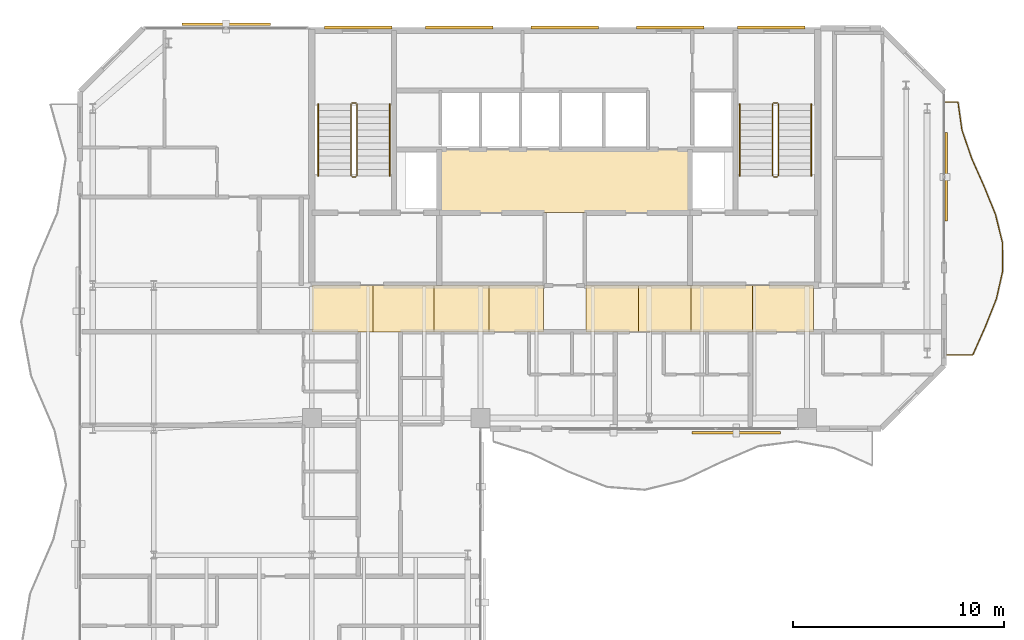
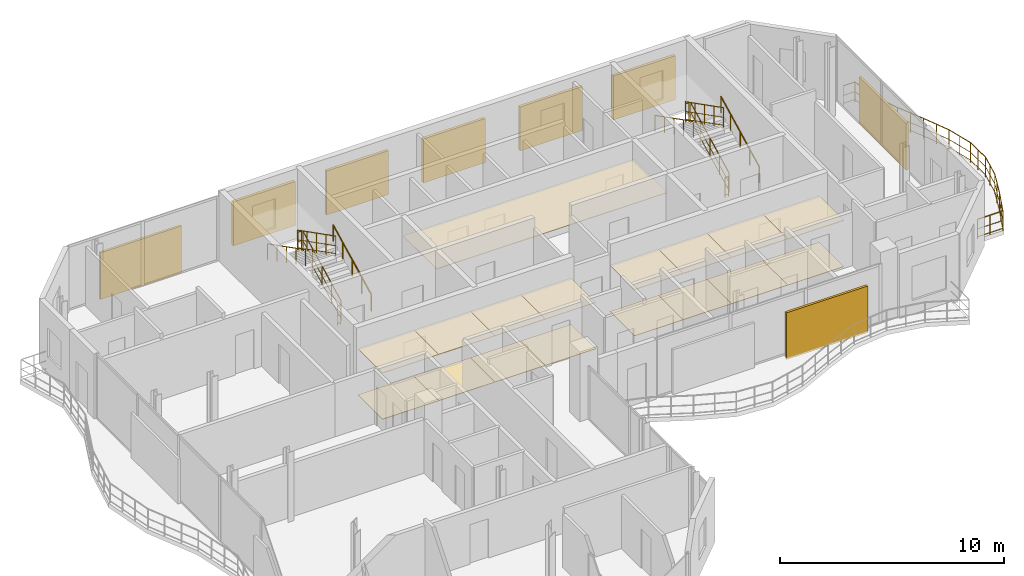
# One storey, part 22 of 22: 17 coverings, 13 railings, 8 shading devices.
"""IFC4 building model written with IfcOpenShell, lengths in metres."""

from ifc_helpers import new_model, si_unit, direction, frame, origin, origin_2d, place, context, subcontext, project, spatial, polyline, rectangle, circle, outline, extrude, material, layer, layer_set, type_object, element, save


model = new_model("IFC4")

# Units and contexts
model_context = context("Model", 3, precision=1e-05, world=origin(), true_north=direction((0.0, 1.0)))
body_context = subcontext(model_context, "Body", "Model", "MODEL_VIEW")
ifc_project = project(units=[si_unit("LENGTHUNIT", "METRE"), si_unit("AREAUNIT", "SQUARE_METRE"), si_unit("VOLUMEUNIT", "CUBIC_METRE"), si_unit("PLANEANGLEUNIT", "RADIAN"), si_unit("MASSUNIT", "GRAM", prefix="KILO")], contexts=[model_context])

# Site, building, storey
site_placement = place(None, origin())
site = spatial("IfcSite", under=ifc_project, at=site_placement, CompositionType="ELEMENT")
building_placement = place(site_placement, origin())
building = spatial("IfcBuilding", under=site, at=building_placement, Name="Catumbela Crestline Tower", CompositionType="ELEMENT")
storey_placement = place(building_placement, frame((0.0, 0.0, 229.8)))
storey = spatial("IfcBuildingStorey", under=building, at=storey_placement, Name="L59", CompositionType="ELEMENT", Elevation=229.8)

# Coverings
ifc_material_1 = material(Name="Mineral-fibre acoustic ceiling")
ifc_layer_1 = layer(ifc_material_1, 0.03, Name="Mineral-fibre acoustic ceiling")
ifc_layer_set_1 = layer_set([ifc_layer_1], Name="Mineral-fibre acoustic ceiling")
covering_type_1 = type_object("IfcCoveringType", Name="CC-AC", PredefinedType="CEILING", material=ifc_layer_set_1)
covering_1_placement = place(storey_placement, frame((0.0, 0.0, 2.65)))
element("IfcCovering", 1, at=covering_1_placement, inside=storey, type_object=covering_type_1, Name="L59 Lift Lobby Acoustic Ceiling", PredefinedType="CEILING", context=body_context, shape_type="SweptSolid", body=[
    extrude(outline(polyline([(22.05, 34.25), (33.95, 34.25), (33.95, 37.25), (22.05, 37.25), (22.05, 34.25)])), origin(), (0.0, 0.0, 1.0), 0.03),
])
covering_2_placement = place(storey_placement, frame((0.0, 0.0, 2.52)))
element("IfcCovering", 2, at=covering_2_placement, inside=storey, type_object=covering_type_1, Name="L59 Corridor Acoustic Ceiling Bay 1", PredefinedType="CEILING", context=body_context, shape_type="SweptSolid", body=[
    extrude(outline(polyline([(16.0, 28.6), (18.9, 28.6), (18.9, 30.8), (16.0, 30.8), (16.0, 28.6)])), origin(), (0.0, 0.0, 1.0), 0.03),
])
covering_3_placement = place(storey_placement, frame((0.0, 0.0, 2.52)))
element("IfcCovering", 3, at=covering_3_placement, inside=storey, type_object=covering_type_1, Name="L59 Corridor Acoustic Ceiling Bay 2", PredefinedType="CEILING", context=body_context, shape_type="SweptSolid", body=[
    extrude(outline(polyline([(18.9, 28.6), (21.8, 28.6), (21.8, 30.8), (18.9, 30.8), (18.9, 28.6)])), origin(), (0.0, 0.0, 1.0), 0.03),
])
covering_4_placement = place(storey_placement, frame((0.0, 0.0, 2.52)))
element("IfcCovering", 4, at=covering_4_placement, inside=storey, type_object=covering_type_1, Name="L59 Corridor Acoustic Ceiling Bay 3", PredefinedType="CEILING", context=body_context, shape_type="SweptSolid", body=[
    extrude(outline(polyline([(21.8, 28.6), (24.4, 28.6), (24.4, 30.8), (21.8, 30.8), (21.8, 28.6)])), origin(), (0.0, 0.0, 1.0), 0.03),
])
covering_5_placement = place(storey_placement, frame((0.0, 0.0, 2.52)))
element("IfcCovering", 5, at=covering_5_placement, inside=storey, type_object=covering_type_1, Name="L59 Corridor Acoustic Ceiling Bay 4", PredefinedType="CEILING", context=body_context, shape_type="SweptSolid", body=[
    extrude(outline(polyline([(24.4, 28.6), (27.0, 28.6), (27.0, 30.8), (24.4, 30.8), (24.4, 28.6)])), origin(), (0.0, 0.0, 1.0), 0.03),
])
covering_6_placement = place(storey_placement, frame((0.0, 0.0, 2.52)))
element("IfcCovering", 6, at=covering_6_placement, inside=storey, type_object=covering_type_1, Name="L59 Corridor Acoustic Ceiling Bay 5", PredefinedType="CEILING", context=body_context, shape_type="SweptSolid", body=[
    extrude(outline(polyline([(29.0, 28.6), (31.5, 28.6), (31.5, 30.8), (29.0, 30.8), (29.0, 28.6)])), origin(), (0.0, 0.0, 1.0), 0.03),
])
covering_7_placement = place(storey_placement, frame((0.0, 0.0, 2.52)))
element("IfcCovering", 7, at=covering_7_placement, inside=storey, type_object=covering_type_1, Name="L59 Corridor Acoustic Ceiling Bay 6", PredefinedType="CEILING", context=body_context, shape_type="SweptSolid", body=[
    extrude(outline(polyline([(31.5, 28.6), (34.0, 28.6), (34.0, 30.8), (31.5, 30.8), (31.5, 28.6)])), origin(), (0.0, 0.0, 1.0), 0.03),
])
covering_8_placement = place(storey_placement, frame((0.0, 0.0, 2.52)))
element("IfcCovering", 8, at=covering_8_placement, inside=storey, type_object=covering_type_1, Name="L59 Corridor Acoustic Ceiling Bay 7", PredefinedType="CEILING", context=body_context, shape_type="SweptSolid", body=[
    extrude(outline(polyline([(34.0, 28.6), (36.9, 28.6), (36.9, 30.8), (34.0, 30.8), (34.0, 28.6)])), origin(), (0.0, 0.0, 1.0), 0.03),
])
covering_9_placement = place(storey_placement, frame((0.0, 0.0, 2.52)))
element("IfcCovering", 9, at=covering_9_placement, inside=storey, type_object=covering_type_1, Name="L59 Corridor Acoustic Ceiling Bay 8", PredefinedType="CEILING", context=body_context, shape_type="SweptSolid", body=[
    extrude(outline(polyline([(36.9, 28.6), (39.8, 28.6), (39.8, 30.8), (36.9, 30.8), (36.9, 28.6)])), origin(), (0.0, 0.0, 1.0), 0.03),
])
ifc_material_2 = material(Name="Angolan grey-ochre granite", Category="masonry")
ifc_layer_2 = layer(ifc_material_2, 0.025, Name="Angolan grey-ochre granite")
ifc_layer_set_2 = layer_set([ifc_layer_2], Name="Angolan grey-ochre granite")
covering_type_2 = type_object("IfcCoveringType", Name="CF-GR", PredefinedType="FLOORING", material=ifc_layer_set_2)
covering_10_placement = place(storey_placement, origin())
element("IfcCovering", 10, at=covering_10_placement, inside=storey, type_object=covering_type_2, Name="L59 Corridor Granite Flooring Bay 1", PredefinedType="FLOORING", context=body_context, shape_type="SweptSolid", body=[
    extrude(outline(polyline([(16.0, 28.6), (18.9, 28.6), (18.9, 30.8), (16.0, 30.8), (16.0, 28.6)])), origin(), (0.0, 0.0, 1.0), 0.025),
])
covering_11_placement = place(storey_placement, origin())
element("IfcCovering", 11, at=covering_11_placement, inside=storey, type_object=covering_type_2, Name="L59 Corridor Granite Flooring Bay 2", PredefinedType="FLOORING", context=body_context, shape_type="SweptSolid", body=[
    extrude(outline(polyline([(18.9, 28.6), (21.8, 28.6), (21.8, 30.8), (18.9, 30.8), (18.9, 28.6)])), origin(), (0.0, 0.0, 1.0), 0.025),
])
covering_12_placement = place(storey_placement, origin())
element("IfcCovering", 12, at=covering_12_placement, inside=storey, type_object=covering_type_2, Name="L59 Corridor Granite Flooring Bay 3", PredefinedType="FLOORING", context=body_context, shape_type="SweptSolid", body=[
    extrude(outline(polyline([(21.8, 28.6), (24.4, 28.6), (24.4, 30.8), (21.8, 30.8), (21.8, 28.6)])), origin(), (0.0, 0.0, 1.0), 0.025),
])
covering_13_placement = place(storey_placement, origin())
element("IfcCovering", 13, at=covering_13_placement, inside=storey, type_object=covering_type_2, Name="L59 Corridor Granite Flooring Bay 4", PredefinedType="FLOORING", context=body_context, shape_type="SweptSolid", body=[
    extrude(outline(polyline([(24.4, 28.6), (27.0, 28.6), (27.0, 30.8), (24.4, 30.8), (24.4, 28.6)])), origin(), (0.0, 0.0, 1.0), 0.025),
])
covering_14_placement = place(storey_placement, origin())
element("IfcCovering", 14, at=covering_14_placement, inside=storey, type_object=covering_type_2, Name="L59 Corridor Granite Flooring Bay 5", PredefinedType="FLOORING", context=body_context, shape_type="SweptSolid", body=[
    extrude(outline(polyline([(29.0, 28.6), (31.5, 28.6), (31.5, 30.8), (29.0, 30.8), (29.0, 28.6)])), origin(), (0.0, 0.0, 1.0), 0.025),
])
covering_15_placement = place(storey_placement, origin())
element("IfcCovering", 15, at=covering_15_placement, inside=storey, type_object=covering_type_2, Name="L59 Corridor Granite Flooring Bay 6", PredefinedType="FLOORING", context=body_context, shape_type="SweptSolid", body=[
    extrude(outline(polyline([(31.5, 28.6), (34.0, 28.6), (34.0, 30.8), (31.5, 30.8), (31.5, 28.6)])), origin(), (0.0, 0.0, 1.0), 0.025),
])
covering_16_placement = place(storey_placement, origin())
element("IfcCovering", 16, at=covering_16_placement, inside=storey, type_object=covering_type_2, Name="L59 Corridor Granite Flooring Bay 7", PredefinedType="FLOORING", context=body_context, shape_type="SweptSolid", body=[
    extrude(outline(polyline([(34.0, 28.6), (36.9, 28.6), (36.9, 30.8), (34.0, 30.8), (34.0, 28.6)])), origin(), (0.0, 0.0, 1.0), 0.025),
])
covering_17_placement = place(storey_placement, origin())
element("IfcCovering", 17, at=covering_17_placement, inside=storey, type_object=covering_type_2, Name="L59 Corridor Granite Flooring Bay 8", PredefinedType="FLOORING", context=body_context, shape_type="SweptSolid", body=[
    extrude(outline(polyline([(36.9, 28.6), (39.8, 28.6), (39.8, 30.8), (36.9, 30.8), (36.9, 28.6)])), origin(), (0.0, 0.0, 1.0), 0.025),
])

# Railings
ifc_material_3 = material(Name="Stainless steel EN 1.4401", Category="steel")
railing_type_1 = type_object("IfcRailingType", Name="RB-1100", PredefinedType="BALUSTRADE", material=ifc_material_3)
railing_1_placement = place(storey_placement, frame((46.06, 27.5, 0.0)))
element("IfcRailing", 18, at=railing_1_placement, inside=storey, type_object=railing_type_1, Name="L59 Private Wave Balcony Balustrade 2", PredefinedType="BALUSTRADE", context=body_context, shape_type="SweptSolid", body=[
    extrude(circle(Radius=0.024, at=origin_2d()), frame((0.0, 0.0, 1.076), z_axis=(1.0, 0.0, 0.0), x_axis=(0.0, 1.0, 0.0)), (0.0, 0.0, 1.0), 1.3029),
    extrude(circle(Radius=0.0156, at=origin_2d()), frame((0.0, 0.0, 0.55), z_axis=(1.0, 0.0, 0.0), x_axis=(0.0, 1.0, 0.0)), (0.0, 0.0, 1.0), 1.3029),
    extrude(circle(Radius=0.0156, at=origin_2d()), frame((0.0, 0.0, 0.12), z_axis=(1.0, 0.0, 0.0), x_axis=(0.0, 1.0, 0.0)), (0.0, 0.0, 1.0), 1.3029),
    extrude(circle(Radius=0.024, at=origin_2d()), frame((1.3029, 0.0, 1.076), z_axis=(0.406723258756, 0.913551416608, 0.0), x_axis=(-0.913551416608, 0.406723258756, 0.0)), (0.0, 0.0, 1.0), 1.4595),
    extrude(circle(Radius=0.0156, at=origin_2d()), frame((1.3029, 0.0, 0.55), z_axis=(0.406723258756, 0.913551416608, 0.0), x_axis=(-0.913551416608, 0.406723258756, 0.0)), (0.0, 0.0, 1.0), 1.4595),
    extrude(circle(Radius=0.0156, at=origin_2d()), frame((1.3029, 0.0, 0.12), z_axis=(0.406723258756, 0.913551416608, 0.0), x_axis=(-0.913551416608, 0.406723258756, 0.0)), (0.0, 0.0, 1.0), 1.4595),
    extrude(circle(Radius=0.024, at=origin_2d()), frame((1.8965, 1.3333, 1.076), z_axis=(0.368045939081, 0.929807607372, 0.0), x_axis=(-0.929807607372, 0.368045939081, 0.0)), (0.0, 0.0, 1.0), 1.4341),
    extrude(circle(Radius=0.0156, at=origin_2d()), frame((1.8965, 1.3333, 0.55), z_axis=(0.368045939081, 0.929807607372, 0.0), x_axis=(-0.929807607372, 0.368045939081, 0.0)), (0.0, 0.0, 1.0), 1.4341),
    extrude(circle(Radius=0.0156, at=origin_2d()), frame((1.8965, 1.3333, 0.12), z_axis=(0.368045939081, 0.929807607372, 0.0), x_axis=(-0.929807607372, 0.368045939081, 0.0)), (0.0, 0.0, 1.0), 1.4341),
    extrude(circle(Radius=0.024, at=origin_2d()), frame((2.4243, 2.6667, 1.076), z_axis=(0.220631331577, 0.975357275836, 0.0), x_axis=(-0.975357275836, 0.220631331577, 0.0)), (0.0, 0.0, 1.0), 1.367),
    extrude(circle(Radius=0.0156, at=origin_2d()), frame((2.4243, 2.6667, 0.55), z_axis=(0.220631331577, 0.975357275836, 0.0), x_axis=(-0.975357275836, 0.220631331577, 0.0)), (0.0, 0.0, 1.0), 1.367),
    extrude(circle(Radius=0.0156, at=origin_2d()), frame((2.4243, 2.6667, 0.12), z_axis=(0.220631331577, 0.975357275836, 0.0), x_axis=(-0.975357275836, 0.220631331577, 0.0)), (0.0, 0.0, 1.0), 1.367),
    extrude(circle(Radius=0.024, at=origin_2d()), frame((2.7259, 4.0, 1.076), z_axis=(-0.01222439215, 0.999925279327, 0.0), x_axis=(-0.999925279327, -0.01222439215, 0.0)), (0.0, 0.0, 1.0), 1.3334),
    extrude(circle(Radius=0.0156, at=origin_2d()), frame((2.7259, 4.0, 0.55), z_axis=(-0.01222439215, 0.999925279327, 0.0), x_axis=(-0.999925279327, -0.01222439215, 0.0)), (0.0, 0.0, 1.0), 1.3334),
    extrude(circle(Radius=0.0156, at=origin_2d()), frame((2.7259, 4.0, 0.12), z_axis=(-0.01222439215, 0.999925279327, 0.0), x_axis=(-0.999925279327, -0.01222439215, 0.0)), (0.0, 0.0, 1.0), 1.3334),
    extrude(circle(Radius=0.024, at=origin_2d()), frame((2.7096, 5.3333, 1.076), z_axis=(-0.239622079001, 0.970866241691, 0.0), x_axis=(-0.970866241691, -0.239622079001, 0.0)), (0.0, 0.0, 1.0), 1.3734),
    extrude(circle(Radius=0.0156, at=origin_2d()), frame((2.7096, 5.3333, 0.55), z_axis=(-0.239622079001, 0.970866241691, 0.0), x_axis=(-0.970866241691, -0.239622079001, 0.0)), (0.0, 0.0, 1.0), 1.3734),
    extrude(circle(Radius=0.0156, at=origin_2d()), frame((2.7096, 5.3333, 0.12), z_axis=(-0.239622079001, 0.970866241691, 0.0), x_axis=(-0.970866241691, -0.239622079001, 0.0)), (0.0, 0.0, 1.0), 1.3734),
    extrude(circle(Radius=0.024, at=origin_2d()), frame((2.3805, 6.6667, 1.076), z_axis=(-0.376643531056, 0.926358273301, 0.0), x_axis=(-0.926358273301, -0.376643531056, 0.0)), (0.0, 0.0, 1.0), 1.4393),
    extrude(circle(Radius=0.0156, at=origin_2d()), frame((2.3805, 6.6667, 0.55), z_axis=(-0.376643531056, 0.926358273301, 0.0), x_axis=(-0.926358273301, -0.376643531056, 0.0)), (0.0, 0.0, 1.0), 1.4393),
    extrude(circle(Radius=0.0156, at=origin_2d()), frame((2.3805, 6.6667, 0.12), z_axis=(-0.376643531056, 0.926358273301, 0.0), x_axis=(-0.926358273301, -0.376643531056, 0.0)), (0.0, 0.0, 1.0), 1.4393),
    extrude(circle(Radius=0.024, at=origin_2d()), frame((1.8384, 8.0, 1.076), z_axis=(-0.40477625573, 0.914415760361, 0.0), x_axis=(-0.914415760361, -0.40477625573, 0.0)), (0.0, 0.0, 1.0), 1.4581),
    extrude(circle(Radius=0.0156, at=origin_2d()), frame((1.8384, 8.0, 0.55), z_axis=(-0.40477625573, 0.914415760361, 0.0), x_axis=(-0.914415760361, -0.40477625573, 0.0)), (0.0, 0.0, 1.0), 1.4581),
    extrude(circle(Radius=0.0156, at=origin_2d()), frame((1.8384, 8.0, 0.12), z_axis=(-0.40477625573, 0.914415760361, 0.0), x_axis=(-0.914415760361, -0.40477625573, 0.0)), (0.0, 0.0, 1.0), 1.4581),
    extrude(circle(Radius=0.024, at=origin_2d()), frame((1.2482, 9.3333, 1.076), z_axis=(-0.325487995559, 0.945546172721, 0.0), x_axis=(-0.945546172721, -0.325487995559, 0.0)), (0.0, 0.0, 1.0), 1.4102),
    extrude(circle(Radius=0.0156, at=origin_2d()), frame((1.2482, 9.3333, 0.55), z_axis=(-0.325487995559, 0.945546172721, 0.0), x_axis=(-0.945546172721, -0.325487995559, 0.0)), (0.0, 0.0, 1.0), 1.4102),
    extrude(circle(Radius=0.0156, at=origin_2d()), frame((1.2482, 9.3333, 0.12), z_axis=(-0.325487995559, 0.945546172721, 0.0), x_axis=(-0.945546172721, -0.325487995559, 0.0)), (0.0, 0.0, 1.0), 1.4102),
    extrude(circle(Radius=0.024, at=origin_2d()), frame((0.7892, 10.6667, 1.076), z_axis=(-0.139768005066, 0.990184278183, 0.0), x_axis=(-0.990184278183, -0.139768005066, 0.0)), (0.0, 0.0, 1.0), 1.3465),
    extrude(circle(Radius=0.0156, at=origin_2d()), frame((0.7892, 10.6667, 0.55), z_axis=(-0.139768005066, 0.990184278183, 0.0), x_axis=(-0.990184278183, -0.139768005066, 0.0)), (0.0, 0.0, 1.0), 1.3465),
    extrude(circle(Radius=0.0156, at=origin_2d()), frame((0.7892, 10.6667, 0.12), z_axis=(-0.139768005066, 0.990184278183, 0.0), x_axis=(-0.990184278183, -0.139768005066, 0.0)), (0.0, 0.0, 1.0), 1.3465),
    extrude(circle(Radius=0.024, at=origin_2d()), frame((0.601, 12.0, 1.076), z_axis=(-1.0, 0.0, 0.0), x_axis=(0.0, -1.0, 0.0)), (0.0, 0.0, 1.0), 0.601),
    extrude(circle(Radius=0.0156, at=origin_2d()), frame((0.601, 12.0, 0.55), z_axis=(-1.0, 0.0, 0.0), x_axis=(0.0, -1.0, 0.0)), (0.0, 0.0, 1.0), 0.601),
    extrude(circle(Radius=0.0156, at=origin_2d()), frame((0.601, 12.0, 0.12), z_axis=(-1.0, 0.0, 0.0), x_axis=(0.0, -1.0, 0.0)), (0.0, 0.0, 1.0), 0.601),
    extrude(circle(Radius=0.021, at=origin_2d()), origin(), (0.0, 0.0, 1.0), 1.052),
    extrude(circle(Radius=0.021, at=origin_2d()), frame((0.6515, 0.0, 0.0)), (0.0, 0.0, 1.0), 1.052),
    extrude(circle(Radius=0.021, at=origin_2d()), frame((1.3029, 0.0, 0.0)), (0.0, 0.0, 1.0), 1.052),
    extrude(circle(Radius=0.021, at=origin_2d()), frame((1.5997, 0.6667, 0.0)), (0.0, 0.0, 1.0), 1.052),
    extrude(circle(Radius=0.021, at=origin_2d()), frame((1.8965, 1.3333, 0.0)), (0.0, 0.0, 1.0), 1.052),
    extrude(circle(Radius=0.021, at=origin_2d()), frame((2.1604, 2.0, 0.0)), (0.0, 0.0, 1.0), 1.052),
    extrude(circle(Radius=0.021, at=origin_2d()), frame((2.4243, 2.6667, 0.0)), (0.0, 0.0, 1.0), 1.052),
    extrude(circle(Radius=0.021, at=origin_2d()), frame((2.5751, 3.3333, 0.0)), (0.0, 0.0, 1.0), 1.052),
    extrude(circle(Radius=0.021, at=origin_2d()), frame((2.7259, 4.0, 0.0)), (0.0, 0.0, 1.0), 1.052),
    extrude(circle(Radius=0.021, at=origin_2d()), frame((2.7177, 4.6667, 0.0)), (0.0, 0.0, 1.0), 1.052),
    extrude(circle(Radius=0.021, at=origin_2d()), frame((2.7096, 5.3333, 0.0)), (0.0, 0.0, 1.0), 1.052),
    extrude(circle(Radius=0.021, at=origin_2d()), frame((2.545, 6.0, 0.0)), (0.0, 0.0, 1.0), 1.052),
    extrude(circle(Radius=0.021, at=origin_2d()), frame((2.3805, 6.6667, 0.0)), (0.0, 0.0, 1.0), 1.052),
    extrude(circle(Radius=0.021, at=origin_2d()), frame((2.1094, 7.3334, 0.0)), (0.0, 0.0, 1.0), 1.052),
    extrude(circle(Radius=0.021, at=origin_2d()), frame((1.8384, 8.0, 0.0)), (0.0, 0.0, 1.0), 1.052),
    extrude(circle(Radius=0.021, at=origin_2d()), frame((1.5433, 8.6666, 0.0)), (0.0, 0.0, 1.0), 1.052),
    extrude(circle(Radius=0.021, at=origin_2d()), frame((1.2482, 9.3333, 0.0)), (0.0, 0.0, 1.0), 1.052),
    extrude(circle(Radius=0.021, at=origin_2d()), frame((1.0187, 10.0, 0.0)), (0.0, 0.0, 1.0), 1.052),
    extrude(circle(Radius=0.021, at=origin_2d()), frame((0.7892, 10.6667, 0.0)), (0.0, 0.0, 1.0), 1.052),
    extrude(circle(Radius=0.021, at=origin_2d()), frame((0.6951, 11.3334, 0.0)), (0.0, 0.0, 1.0), 1.052),
    extrude(circle(Radius=0.021, at=origin_2d()), frame((0.601, 12.0, 0.0)), (0.0, 0.0, 1.0), 1.052),
    extrude(circle(Radius=0.021, at=origin_2d()), frame((0.0, 12.0, 0.0)), (0.0, 0.0, 1.0), 1.052),
])
railing_type_2 = type_object("IfcRailingType", Name="RG-1100", PredefinedType="GUARDRAIL", material=ifc_material_3)
railing_2_placement = place(storey_placement, frame((18.14, 36.0, 0.1583)))
element("IfcRailing", 19, at=railing_2_placement, inside=storey, type_object=railing_type_2, Name="L59 ST-01 stair guard 1", PredefinedType="GUARDRAIL", context=body_context, shape_type="SweptSolid", body=[
    extrude(circle(Radius=0.024, at=origin_2d()), frame((0.0, 0.0, 1.076), z_axis=(0.0, 0.890560473983, 0.454864861447), x_axis=(-1.0, 0.0, 0.0)), (0.0, 0.0, 1.0), 3.829),
    extrude(circle(Radius=0.0156, at=origin_2d()), frame((0.0, 0.0, 0.55), z_axis=(0.0, 0.890560473983, 0.454864861447), x_axis=(-1.0, 0.0, 0.0)), (0.0, 0.0, 1.0), 3.829),
    extrude(circle(Radius=0.0156, at=origin_2d()), frame((0.0, 0.0, 0.12), z_axis=(0.0, 0.890560473983, 0.454864861447), x_axis=(-1.0, 0.0, 0.0)), (0.0, 0.0, 1.0), 3.829),
    extrude(circle(Radius=0.021, at=origin_2d()), origin(), (0.0, 0.0, 1.0), 1.052),
    extrude(circle(Radius=0.021, at=origin_2d()), frame((0.0, 0.8525, 0.4354)), (0.0, 0.0, 1.0), 1.052),
    extrude(circle(Radius=0.021, at=origin_2d()), frame((0.0, 1.705, 0.8708)), (0.0, 0.0, 1.0), 1.052),
    extrude(circle(Radius=0.021, at=origin_2d()), frame((0.0, 2.5575, 1.3063)), (0.0, 0.0, 1.0), 1.052),
    extrude(circle(Radius=0.021, at=origin_2d()), frame((0.0, 3.41, 1.7417)), (0.0, 0.0, 1.0), 1.052),
])
railing_3_placement = place(storey_placement, frame((18.09, 39.46, 1.9)))
element("IfcRailing", 20, at=railing_3_placement, inside=storey, type_object=railing_type_2, Name="L59 ST-01 stair guard 2", PredefinedType="GUARDRAIL", context=body_context, shape_type="SweptSolid", body=[
    extrude(circle(Radius=0.024, at=origin_2d()), frame((0.0, 0.0, 1.076), z_axis=(-1.0, 0.0, 0.0), x_axis=(0.0, -1.0, 0.0)), (0.0, 0.0, 1.0), 0.18),
    extrude(circle(Radius=0.0156, at=origin_2d()), frame((0.0, 0.0, 0.55), z_axis=(-1.0, 0.0, 0.0), x_axis=(0.0, -1.0, 0.0)), (0.0, 0.0, 1.0), 0.18),
    extrude(circle(Radius=0.0156, at=origin_2d()), frame((0.0, 0.0, 0.12), z_axis=(-1.0, 0.0, 0.0), x_axis=(0.0, -1.0, 0.0)), (0.0, 0.0, 1.0), 0.18),
    extrude(circle(Radius=0.021, at=origin_2d()), origin(), (0.0, 0.0, 1.0), 1.052),
    extrude(circle(Radius=0.021, at=origin_2d()), frame((-0.18, 0.0, 0.0)), (0.0, 0.0, 1.0), 1.052),
])
railing_4_placement = place(storey_placement, frame((17.86, 39.41, 2.0583)))
element("IfcRailing", 21, at=railing_4_placement, inside=storey, type_object=railing_type_2, Name="L59 ST-01 stair guard 3", PredefinedType="GUARDRAIL", context=body_context, shape_type="SweptSolid", body=[
    extrude(circle(Radius=0.024, at=origin_2d()), frame((0.0, 0.0, 1.076), z_axis=(0.0, -0.890560473983, 0.454864861447), x_axis=(1.0, 0.0, 0.0)), (0.0, 0.0, 1.0), 3.829),
    extrude(circle(Radius=0.0156, at=origin_2d()), frame((0.0, 0.0, 0.55), z_axis=(0.0, -0.890560473983, 0.454864861447), x_axis=(1.0, 0.0, 0.0)), (0.0, 0.0, 1.0), 3.829),
    extrude(circle(Radius=0.0156, at=origin_2d()), frame((0.0, 0.0, 0.12), z_axis=(0.0, -0.890560473983, 0.454864861447), x_axis=(1.0, 0.0, 0.0)), (0.0, 0.0, 1.0), 3.829),
    extrude(circle(Radius=0.021, at=origin_2d()), origin(), (0.0, 0.0, 1.0), 1.052),
    extrude(circle(Radius=0.021, at=origin_2d()), frame((0.0, -0.8525, 0.4354)), (0.0, 0.0, 1.0), 1.052),
    extrude(circle(Radius=0.021, at=origin_2d()), frame((0.0, -1.705, 0.8708)), (0.0, 0.0, 1.0), 1.052),
    extrude(circle(Radius=0.021, at=origin_2d()), frame((0.0, -2.5575, 1.3063)), (0.0, 0.0, 1.0), 1.052),
    extrude(circle(Radius=0.021, at=origin_2d()), frame((0.0, -3.41, 1.7417)), (0.0, 0.0, 1.0), 1.052),
])
railing_5_placement = place(storey_placement, frame((18.09, 35.95, 0.0)))
element("IfcRailing", 22, at=railing_5_placement, inside=storey, type_object=railing_type_2, Name="L59 ST-01 stair guard 4", PredefinedType="GUARDRAIL", context=body_context, shape_type="SweptSolid", body=[
    extrude(circle(Radius=0.024, at=origin_2d()), frame((0.0, 0.0, 1.076), z_axis=(-1.0, 0.0, 0.0), x_axis=(0.0, -1.0, 0.0)), (0.0, 0.0, 1.0), 0.18),
    extrude(circle(Radius=0.0156, at=origin_2d()), frame((0.0, 0.0, 0.55), z_axis=(-1.0, 0.0, 0.0), x_axis=(0.0, -1.0, 0.0)), (0.0, 0.0, 1.0), 0.18),
    extrude(circle(Radius=0.0156, at=origin_2d()), frame((0.0, 0.0, 0.12), z_axis=(-1.0, 0.0, 0.0), x_axis=(0.0, -1.0, 0.0)), (0.0, 0.0, 1.0), 0.18),
    extrude(circle(Radius=0.021, at=origin_2d()), origin(), (0.0, 0.0, 1.0), 1.052),
    extrude(circle(Radius=0.021, at=origin_2d()), frame((-0.18, 0.0, 0.0)), (0.0, 0.0, 1.0), 1.052),
])
railing_6_placement = place(storey_placement, frame((38.14, 36.0, 0.1583)))
element("IfcRailing", 23, at=railing_6_placement, inside=storey, type_object=railing_type_2, Name="L59 ST-02 stair guard 1", PredefinedType="GUARDRAIL", context=body_context, shape_type="SweptSolid", body=[
    extrude(circle(Radius=0.024, at=origin_2d()), frame((0.0, 0.0, 1.076), z_axis=(0.0, 0.890560473983, 0.454864861447), x_axis=(-1.0, 0.0, 0.0)), (0.0, 0.0, 1.0), 3.829),
    extrude(circle(Radius=0.0156, at=origin_2d()), frame((0.0, 0.0, 0.55), z_axis=(0.0, 0.890560473983, 0.454864861447), x_axis=(-1.0, 0.0, 0.0)), (0.0, 0.0, 1.0), 3.829),
    extrude(circle(Radius=0.0156, at=origin_2d()), frame((0.0, 0.0, 0.12), z_axis=(0.0, 0.890560473983, 0.454864861447), x_axis=(-1.0, 0.0, 0.0)), (0.0, 0.0, 1.0), 3.829),
    extrude(circle(Radius=0.021, at=origin_2d()), origin(), (0.0, 0.0, 1.0), 1.052),
    extrude(circle(Radius=0.021, at=origin_2d()), frame((0.0, 0.8525, 0.4354)), (0.0, 0.0, 1.0), 1.052),
    extrude(circle(Radius=0.021, at=origin_2d()), frame((0.0, 1.705, 0.8708)), (0.0, 0.0, 1.0), 1.052),
    extrude(circle(Radius=0.021, at=origin_2d()), frame((0.0, 2.5575, 1.3063)), (0.0, 0.0, 1.0), 1.052),
    extrude(circle(Radius=0.021, at=origin_2d()), frame((0.0, 3.41, 1.7417)), (0.0, 0.0, 1.0), 1.052),
])
railing_7_placement = place(storey_placement, frame((38.09, 39.46, 1.9)))
element("IfcRailing", 24, at=railing_7_placement, inside=storey, type_object=railing_type_2, Name="L59 ST-02 stair guard 2", PredefinedType="GUARDRAIL", context=body_context, shape_type="SweptSolid", body=[
    extrude(circle(Radius=0.024, at=origin_2d()), frame((0.0, 0.0, 1.076), z_axis=(-1.0, 0.0, 0.0), x_axis=(0.0, -1.0, 0.0)), (0.0, 0.0, 1.0), 0.18),
    extrude(circle(Radius=0.0156, at=origin_2d()), frame((0.0, 0.0, 0.55), z_axis=(-1.0, 0.0, 0.0), x_axis=(0.0, -1.0, 0.0)), (0.0, 0.0, 1.0), 0.18),
    extrude(circle(Radius=0.0156, at=origin_2d()), frame((0.0, 0.0, 0.12), z_axis=(-1.0, 0.0, 0.0), x_axis=(0.0, -1.0, 0.0)), (0.0, 0.0, 1.0), 0.18),
    extrude(circle(Radius=0.021, at=origin_2d()), origin(), (0.0, 0.0, 1.0), 1.052),
    extrude(circle(Radius=0.021, at=origin_2d()), frame((-0.18, 0.0, 0.0)), (0.0, 0.0, 1.0), 1.052),
])
railing_8_placement = place(storey_placement, frame((37.86, 39.41, 2.0583)))
element("IfcRailing", 25, at=railing_8_placement, inside=storey, type_object=railing_type_2, Name="L59 ST-02 stair guard 3", PredefinedType="GUARDRAIL", context=body_context, shape_type="SweptSolid", body=[
    extrude(circle(Radius=0.024, at=origin_2d()), frame((0.0, 0.0, 1.076), z_axis=(0.0, -0.890560473983, 0.454864861447), x_axis=(1.0, 0.0, 0.0)), (0.0, 0.0, 1.0), 3.829),
    extrude(circle(Radius=0.0156, at=origin_2d()), frame((0.0, 0.0, 0.55), z_axis=(0.0, -0.890560473983, 0.454864861447), x_axis=(1.0, 0.0, 0.0)), (0.0, 0.0, 1.0), 3.829),
    extrude(circle(Radius=0.0156, at=origin_2d()), frame((0.0, 0.0, 0.12), z_axis=(0.0, -0.890560473983, 0.454864861447), x_axis=(1.0, 0.0, 0.0)), (0.0, 0.0, 1.0), 3.829),
    extrude(circle(Radius=0.021, at=origin_2d()), origin(), (0.0, 0.0, 1.0), 1.052),
    extrude(circle(Radius=0.021, at=origin_2d()), frame((0.0, -0.8525, 0.4354)), (0.0, 0.0, 1.0), 1.052),
    extrude(circle(Radius=0.021, at=origin_2d()), frame((0.0, -1.705, 0.8708)), (0.0, 0.0, 1.0), 1.052),
    extrude(circle(Radius=0.021, at=origin_2d()), frame((0.0, -2.5575, 1.3063)), (0.0, 0.0, 1.0), 1.052),
    extrude(circle(Radius=0.021, at=origin_2d()), frame((0.0, -3.41, 1.7417)), (0.0, 0.0, 1.0), 1.052),
])
railing_9_placement = place(storey_placement, frame((38.09, 35.95, 0.0)))
element("IfcRailing", 26, at=railing_9_placement, inside=storey, type_object=railing_type_2, Name="L59 ST-02 stair guard 4", PredefinedType="GUARDRAIL", context=body_context, shape_type="SweptSolid", body=[
    extrude(circle(Radius=0.024, at=origin_2d()), frame((0.0, 0.0, 1.076), z_axis=(-1.0, 0.0, 0.0), x_axis=(0.0, -1.0, 0.0)), (0.0, 0.0, 1.0), 0.18),
    extrude(circle(Radius=0.0156, at=origin_2d()), frame((0.0, 0.0, 0.55), z_axis=(-1.0, 0.0, 0.0), x_axis=(0.0, -1.0, 0.0)), (0.0, 0.0, 1.0), 0.18),
    extrude(circle(Radius=0.0156, at=origin_2d()), frame((0.0, 0.0, 0.12), z_axis=(-1.0, 0.0, 0.0), x_axis=(0.0, -1.0, 0.0)), (0.0, 0.0, 1.0), 0.18),
    extrude(circle(Radius=0.021, at=origin_2d()), origin(), (0.0, 0.0, 1.0), 1.052),
    extrude(circle(Radius=0.021, at=origin_2d()), frame((-0.18, 0.0, 0.0)), (0.0, 0.0, 1.0), 1.052),
])
railing_type_3 = type_object("IfcRailingType", Name="RH-0900", PredefinedType="HANDRAIL", material=ifc_material_3)
railing_10_placement = place(storey_placement, frame((19.7, 36.0, 0.1583)))
element("IfcRailing", 27, at=railing_10_placement, inside=storey, type_object=railing_type_3, Name="L59 ST-01 stair handrail 1", PredefinedType="HANDRAIL", context=body_context, shape_type="SweptSolid", body=[
    extrude(circle(Radius=0.024, at=origin_2d()), frame((0.0, 0.0, 0.876), z_axis=(0.0, 0.890560473983, 0.454864861447), x_axis=(-1.0, 0.0, 0.0)), (0.0, 0.0, 1.0), 3.829),
    extrude(circle(Radius=0.021, at=origin_2d()), origin(), (0.0, 0.0, 1.0), 0.852),
    extrude(circle(Radius=0.021, at=origin_2d()), frame((0.0, 0.8525, 0.4354)), (0.0, 0.0, 1.0), 0.852),
    extrude(circle(Radius=0.021, at=origin_2d()), frame((0.0, 1.705, 0.8708)), (0.0, 0.0, 1.0), 0.852),
    extrude(circle(Radius=0.021, at=origin_2d()), frame((0.0, 2.5575, 1.3063)), (0.0, 0.0, 1.0), 0.852),
    extrude(circle(Radius=0.021, at=origin_2d()), frame((0.0, 3.41, 1.7417)), (0.0, 0.0, 1.0), 0.852),
])
railing_11_placement = place(storey_placement, frame((16.3, 39.41, 2.0583)))
element("IfcRailing", 28, at=railing_11_placement, inside=storey, type_object=railing_type_3, Name="L59 ST-01 stair handrail 2", PredefinedType="HANDRAIL", context=body_context, shape_type="SweptSolid", body=[
    extrude(circle(Radius=0.024, at=origin_2d()), frame((0.0, 0.0, 0.876), z_axis=(0.0, -0.890560473983, 0.454864861447), x_axis=(1.0, 0.0, 0.0)), (0.0, 0.0, 1.0), 3.829),
    extrude(circle(Radius=0.021, at=origin_2d()), origin(), (0.0, 0.0, 1.0), 0.852),
    extrude(circle(Radius=0.021, at=origin_2d()), frame((0.0, -0.8525, 0.4354)), (0.0, 0.0, 1.0), 0.852),
    extrude(circle(Radius=0.021, at=origin_2d()), frame((0.0, -1.705, 0.8708)), (0.0, 0.0, 1.0), 0.852),
    extrude(circle(Radius=0.021, at=origin_2d()), frame((0.0, -2.5575, 1.3063)), (0.0, 0.0, 1.0), 0.852),
    extrude(circle(Radius=0.021, at=origin_2d()), frame((0.0, -3.41, 1.7417)), (0.0, 0.0, 1.0), 0.852),
])
railing_12_placement = place(storey_placement, frame((39.7, 36.0, 0.1583)))
element("IfcRailing", 29, at=railing_12_placement, inside=storey, type_object=railing_type_3, Name="L59 ST-02 stair handrail 1", PredefinedType="HANDRAIL", context=body_context, shape_type="SweptSolid", body=[
    extrude(circle(Radius=0.024, at=origin_2d()), frame((0.0, 0.0, 0.876), z_axis=(0.0, 0.890560473983, 0.454864861447), x_axis=(-1.0, 0.0, 0.0)), (0.0, 0.0, 1.0), 3.829),
    extrude(circle(Radius=0.021, at=origin_2d()), origin(), (0.0, 0.0, 1.0), 0.852),
    extrude(circle(Radius=0.021, at=origin_2d()), frame((0.0, 0.8525, 0.4354)), (0.0, 0.0, 1.0), 0.852),
    extrude(circle(Radius=0.021, at=origin_2d()), frame((0.0, 1.705, 0.8708)), (0.0, 0.0, 1.0), 0.852),
    extrude(circle(Radius=0.021, at=origin_2d()), frame((0.0, 2.5575, 1.3063)), (0.0, 0.0, 1.0), 0.852),
    extrude(circle(Radius=0.021, at=origin_2d()), frame((0.0, 3.41, 1.7417)), (0.0, 0.0, 1.0), 0.852),
])
railing_13_placement = place(storey_placement, frame((36.3, 39.41, 2.0583)))
element("IfcRailing", 30, at=railing_13_placement, inside=storey, type_object=railing_type_3, Name="L59 ST-02 stair handrail 2", PredefinedType="HANDRAIL", context=body_context, shape_type="SweptSolid", body=[
    extrude(circle(Radius=0.024, at=origin_2d()), frame((0.0, 0.0, 0.876), z_axis=(0.0, -0.890560473983, 0.454864861447), x_axis=(1.0, 0.0, 0.0)), (0.0, 0.0, 1.0), 3.829),
    extrude(circle(Radius=0.021, at=origin_2d()), origin(), (0.0, 0.0, 1.0), 0.852),
    extrude(circle(Radius=0.021, at=origin_2d()), frame((0.0, -0.8525, 0.4354)), (0.0, 0.0, 1.0), 0.852),
    extrude(circle(Radius=0.021, at=origin_2d()), frame((0.0, -1.705, 0.8708)), (0.0, 0.0, 1.0), 0.852),
    extrude(circle(Radius=0.021, at=origin_2d()), frame((0.0, -2.5575, 1.3063)), (0.0, 0.0, 1.0), 0.852),
    extrude(circle(Radius=0.021, at=origin_2d()), frame((0.0, -3.41, 1.7417)), (0.0, 0.0, 1.0), 0.852),
])

# Shading devices
ifc_material_4 = material(Name="Extruded terracotta ceramic", Category="masonry")
shading_device_type_1 = type_object("IfcShadingDeviceType", Name="ST-180", PredefinedType="USERDEFINED", material=ifc_material_4)
shading_device_1_placement = place(storey_placement, frame((23.0, 43.04, 0.55), z_axis=(0.0, 0.0, 1.0), x_axis=(1.0, 0.0, 0.0)))
element("IfcShadingDevice", 31, at=shading_device_1_placement, inside=storey, type_object=shading_device_type_1, Name="L59 Rear Core Terracotta Brise-Soleil Screen 699", ObjectType="SCREEN", PredefinedType="USERDEFINED", context=body_context, shape_type="SweptSolid", body=[
    extrude(rectangle(XDim=3.2, YDim=0.14, at=origin_2d()), origin(), (0.0, 0.0, 1.0), 2.4),
])
shading_device_2_placement = place(storey_placement, frame((46.099, 35.95, -0.1), z_axis=(0.0, 0.0, 1.0), x_axis=(0.0, 1.0, 0.0)))
element("IfcShadingDevice", 32, at=shading_device_2_placement, inside=storey, type_object=shading_device_type_1, Name="L59 Perforated Terracotta Solar Screen 708 (180 mm)", ObjectType="SCREEN", PredefinedType="USERDEFINED", context=body_context, shape_type="SweptSolid", body=[
    extrude(rectangle(XDim=4.2, YDim=0.12, at=origin_2d()), origin(), (0.0, 0.0, 1.0), 2.55),
])
shading_device_type_2 = type_object("IfcShadingDeviceType", Name="ST-260", PredefinedType="USERDEFINED", material=ifc_material_4)
for number, where, z_axis, x_axis, name in (
    (33, (18.2, 43.04, 0.55), (0.0, 0.0, 1.0), (1.0, 0.0, 0.0), "L59 Rear Core Terracotta Brise-Soleil Screen 698"),
    (34, (33.0, 43.04, 0.55), (0.0, 0.0, 1.0), (1.0, 0.0, 0.0), "L59 Rear Core Terracotta Brise-Soleil Screen 701"),
):
    element("IfcShadingDevice", number, at=place(storey_placement, frame(where, z_axis=z_axis, x_axis=x_axis)), inside=storey, type_object=shading_device_type_2, Name=name, ObjectType="SCREEN", PredefinedType="USERDEFINED", context=body_context, shape_type="SweptSolid", body=[
        extrude(rectangle(XDim=3.2, YDim=0.14, at=origin_2d()), origin(), (0.0, 0.0, 1.0), 2.4),
    ])
shading_device_type_3 = type_object("IfcShadingDeviceType", Name="ST-340", PredefinedType="USERDEFINED", material=ifc_material_4)
for number, where, z_axis, x_axis, name in (
    (35, (28.0, 43.04, 0.55), (0.0, 0.0, 1.0), (1.0, 0.0, 0.0), "L59 Rear Core Terracotta Brise-Soleil Screen 700"),
    (36, (37.8, 43.04, 0.55), (0.0, 0.0, 1.0), (1.0, 0.0, 0.0), "L59 Rear Core Terracotta Brise-Soleil Screen 702"),
):
    element("IfcShadingDevice", number, at=place(storey_placement, frame(where, z_axis=z_axis, x_axis=x_axis)), inside=storey, type_object=shading_device_type_3, Name=name, ObjectType="SCREEN", PredefinedType="USERDEFINED", context=body_context, shape_type="SweptSolid", body=[
        extrude(rectangle(XDim=3.2, YDim=0.14, at=origin_2d()), origin(), (0.0, 0.0, 1.0), 2.4),
    ])
for number, where, z_axis, x_axis, name in (
    (37, (36.1375, 23.813, -0.1), (0.0, 0.0, 1.0), (1.0, 0.0, 0.0), "L59 Perforated Terracotta Solar Screen 707 (340 mm)"),
    (38, (11.93, 43.187, -0.1), (0.0, 0.0, 1.0), (-1.0, 0.0, 0.0), "L59 Perforated Terracotta Solar Screen 709 (340 mm)"),
):
    element("IfcShadingDevice", number, at=place(storey_placement, frame(where, z_axis=z_axis, x_axis=x_axis)), inside=storey, type_object=shading_device_type_3, Name=name, ObjectType="SCREEN", PredefinedType="USERDEFINED", context=body_context, shape_type="SweptSolid", body=[
        extrude(rectangle(XDim=4.2, YDim=0.12, at=origin_2d()), origin(), (0.0, 0.0, 1.0), 2.55),
    ])

save(model, "model.ifc")
